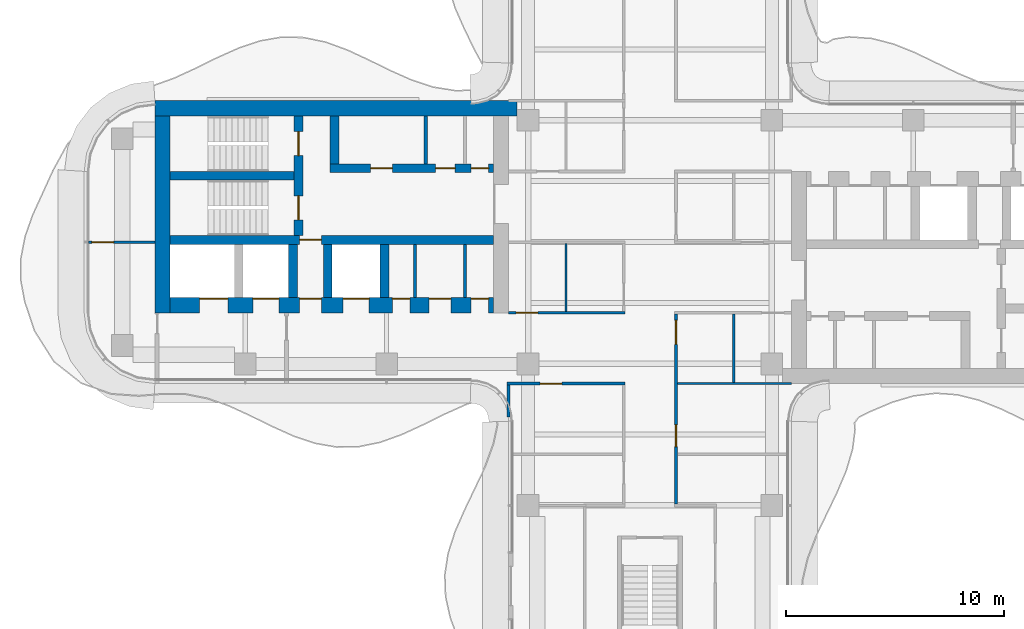
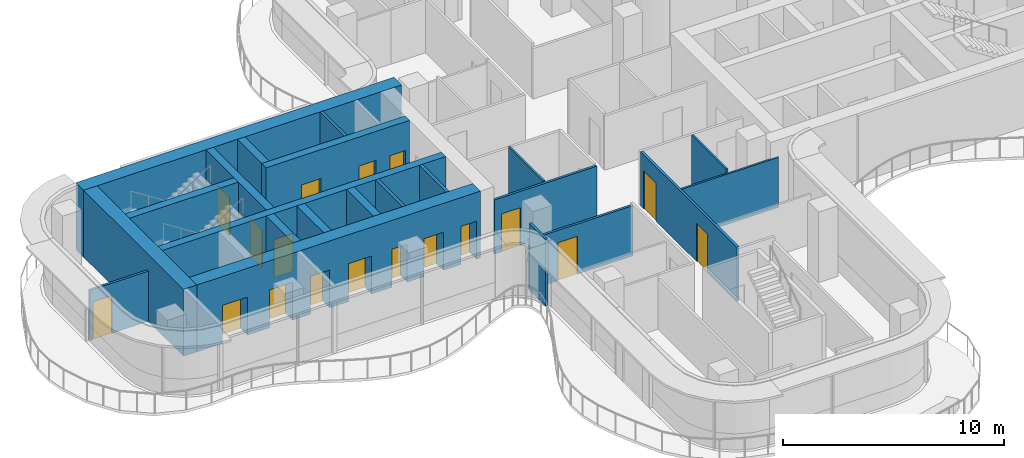
# One storey, part 11 of 16: 22 walls, 18 doors, 18 openings.
"""IFC4 building model written with IfcOpenShell, lengths in metres."""

from ifc_helpers import new_model, si_unit, direction, frame, frame_2d, origin, place, context, subcontext, project, spatial, rectangle, extrude, source, transform, mapped, material, layer, layer_set, type_object, element, fill, save


model = new_model("IFC4")

# Units and contexts
model_context = context("Model", 3, precision=1e-05, world=origin(), true_north=direction((0.0, 1.0)))
body_context = subcontext(model_context, "Body", "Model", "MODEL_VIEW")
ifc_project = project(units=[si_unit("LENGTHUNIT", "METRE"), si_unit("AREAUNIT", "SQUARE_METRE"), si_unit("VOLUMEUNIT", "CUBIC_METRE"), si_unit("PLANEANGLEUNIT", "RADIAN"), si_unit("MASSUNIT", "GRAM", prefix="KILO")], contexts=[model_context])

# Site, building, storey
site_placement = place(None, origin())
site = spatial("IfcSite", under=ifc_project, at=site_placement, CompositionType="ELEMENT")
building_placement = place(site_placement, origin())
building = spatial("IfcBuilding", under=site, at=building_placement, Name="Trellis Farm Tower", CompositionType="ELEMENT")
storey_placement = place(building_placement, frame((0.0, 0.0, 306.699951171875)))
storey = spatial("IfcBuildingStorey", under=building, at=storey_placement, Name="L69", CompositionType="ELEMENT", Elevation=306.699951171875)

# Walls
ifc_material_1 = material(Name="Concrete C50/60", Category="concrete")
ifc_layer_1 = layer(ifc_material_1, 0.699951171875)
ifc_layer_set_1 = layer_set([ifc_layer_1], Name="CORE OUTER WALL 700 CONCRETE C50/60")
wall_type_1 = type_object("IfcWallType", Name="CORE OUTER WALL 700 CONCRETE C50/60", PredefinedType="SHEAR", material=ifc_layer_set_1)
shared_shape_1 = source(origin(), body_context, "Body", "SweptSolid", [
    extrude(rectangle(XDim=9.050048828125, YDim=0.699951171875, at=frame_2d((4.52490234375, 0.0))), origin(), (0.0, 0.0, 1.0), 3.699951171875),
])
wall_1_placement = place(storey_placement, frame((-22.39990234375, 5.800048828125, 0.0), z_axis=(0.0, 0.0, 1.0), x_axis=(0.0, -1.0, 0.0)))
element("IfcWall", 1, at=wall_1_placement, inside=storey, type_object=wall_type_1, Name="Core wall", PredefinedType="SHEAR", context=body_context, shape_type="MappedRepresentation", body=[
    mapped(shared_shape_1, transform((0.0, 0.0, 0.0))),
])
ifc_layer_2 = layer(ifc_material_1, 0.39990234375)
ifc_layer_set_2 = layer_set([ifc_layer_2], Name="CORE INNER WALL 400 CONCRETE C50/60")
wall_type_2 = type_object("IfcWallType", Name="CORE INNER WALL 400 CONCRETE C50/60", PredefinedType="SHEAR", material=ifc_layer_set_2)
shared_shape_2 = source(origin(), body_context, "Body", "SweptSolid", [
    extrude(rectangle(XDim=2.449951171875, YDim=0.39990234375, at=frame_2d((1.22509765625, 0.0))), origin(), (0.0, 0.0, 1.0), 3.699951171875),
])
for number, where, z_axis, x_axis, name in (
    (2, (-12.199951171875, -0.10009765625, 0.0), (0.0, 0.0, 1.0), (0.0, -1.0, 0.0), "Core wall"),
    (3, (-14.800048828125, -0.10009765625, 0.0), (0.0, 0.0, 1.0), (0.0, -1.0, 0.0), "Core wall"),
    (4, (-16.39990234375, -0.10009765625, 0.0), (0.0, 0.0, 1.0), (0.0, -1.0, 0.0), "Core wall"),
):
    element("IfcWall", number, at=place(storey_placement, frame(where, z_axis=z_axis, x_axis=x_axis)), inside=storey, type_object=wall_type_2, Name=name, PredefinedType="SHEAR", context=body_context, shape_type="MappedRepresentation", body=[
        mapped(shared_shape_2, transform((0.0, 0.0, 0.0))),
    ])

# Wall, openings, doors
shared_shape_3 = source(origin(), body_context, "Body", "SweptSolid", [
    extrude(rectangle(XDim=14.85009765625, YDim=0.699951171875, at=frame_2d((7.425048828125, 0.0))), origin(), (0.0, 0.0, 1.0), 3.699951171875),
])
wall_2_placement = place(storey_placement, frame((-7.199951171875, -2.89990234375, 0.0), z_axis=(0.0, 0.0, 1.0), x_axis=(-1.0, 0.0, 0.0)))
wall_2 = element("IfcWall", 5, at=wall_2_placement, inside=storey, type_object=wall_type_1, Name="Core wall", PredefinedType="SHEAR", context=body_context, shape_type="MappedRepresentation", body=[
    mapped(shared_shape_3, transform((0.0, 0.0, 0.0))),
])
shared_shape_4 = source(origin(), body_context, "Body", "SweptSolid", [
    extrude(rectangle(XDim=1.199951171875, YDim=2.10009765625, at=frame_2d((0.60009765625, 1.050048828125))), frame((0.0, 0.360107421875, 0.0), z_axis=(0.0, -1.0, 0.0), x_axis=(1.0, 0.0, 0.0)), (0.0, 0.0, 1.0), 0.72021484375),
])
opening_1_placement = place(wall_2_placement, frame((5.699951171875, 0.0, 0.0)))
opening_1 = element("IfcOpeningElement", 6, at=opening_1_placement, cuts=wall_2, Name="Opening LD14", PredefinedType="OPENING", context=body_context, shape_type="MappedRepresentation", body=[
    mapped(shared_shape_4, transform((0.0, 0.0, 0.0))),
])
shared_shape_5 = source(origin(), body_context, "Body", "SweptSolid", [
    extrude(rectangle(XDim=1.300048828125, YDim=2.10009765625, at=frame_2d((0.64990234375, 1.050048828125))), frame((0.0, 0.360107421875, 0.0), z_axis=(0.0, -1.0, 0.0), x_axis=(1.0, 0.0, 0.0)), (0.0, 0.0, 1.0), 0.72021484375),
])
opening_2_placement = place(wall_2_placement, frame((12.199951171875, 0.0, 0.0)))
opening_2 = element("IfcOpeningElement", 7, at=opening_2_placement, cuts=wall_2, Name="Opening LD15", PredefinedType="OPENING", context=body_context, shape_type="MappedRepresentation", body=[
    mapped(shared_shape_5, transform((0.0, 0.0, 0.0))),
])
opening_3_placement = place(wall_2_placement, frame((9.85009765625, 0.0, 0.0)))
opening_3 = element("IfcOpeningElement", 8, at=opening_3_placement, cuts=wall_2, Name="Opening LD16", PredefinedType="OPENING", context=body_context, shape_type="MappedRepresentation", body=[
    mapped(shared_shape_4, transform((0.0, 0.0, 0.0))),
])
shared_shape_6 = source(origin(), body_context, "Body", "SweptSolid", [
    extrude(rectangle(XDim=1.0, YDim=2.10009765625, at=frame_2d((0.5, 1.050048828125))), frame((0.0, 0.360107421875, 0.0), z_axis=(0.0, -1.0, 0.0), x_axis=(1.0, 0.0, 0.0)), (0.0, 0.0, 1.0), 0.72021484375),
])
opening_4_placement = place(wall_2_placement, frame((7.89990234375, 0.0, 0.0)))
opening_4 = element("IfcOpeningElement", 9, at=opening_4_placement, cuts=wall_2, Name="Opening DC92", PredefinedType="OPENING", context=body_context, shape_type="MappedRepresentation", body=[
    mapped(shared_shape_6, transform((0.0, 0.0, 0.0))),
])
shared_shape_7 = source(origin(), body_context, "Body", "SweptSolid", [
    extrude(rectangle(XDim=0.800048828125, YDim=2.10009765625, at=frame_2d((0.39990234375, 1.050048828125))), frame((0.0, 0.360107421875, 0.0), z_axis=(0.0, -1.0, 0.0), x_axis=(1.0, 0.0, 0.0)), (0.0, 0.0, 1.0), 0.72021484375),
])
opening_5_placement = place(wall_2_placement, frame((0.21240234375, 0.0, 0.0)))
opening_5 = element("IfcOpeningElement", 10, at=opening_5_placement, cuts=wall_2, Name="Opening DC96", PredefinedType="OPENING", context=body_context, shape_type="MappedRepresentation", body=[
    mapped(shared_shape_7, transform((0.0, 0.0, 0.0))),
])
opening_6_placement = place(wall_2_placement, frame((1.949951171875, 0.0, 0.0)))
opening_6 = element("IfcOpeningElement", 11, at=opening_6_placement, cuts=wall_2, Name="Opening DC105", PredefinedType="OPENING", context=body_context, shape_type="MappedRepresentation", body=[
    mapped(shared_shape_6, transform((0.0, 0.0, 0.0))),
])
opening_7_placement = place(wall_2_placement, frame((3.83740234375, 0.0, 0.0)))
opening_7 = element("IfcOpeningElement", 12, at=opening_7_placement, cuts=wall_2, Name="Opening DC108", PredefinedType="OPENING", context=body_context, shape_type="MappedRepresentation", body=[
    mapped(shared_shape_7, transform((0.0, 0.0, 0.0))),
])
ifc_material_2 = material(Name="Steel", Category="steel")
door_type_1 = type_object("IfcDoorType", Name="CORE FIRE DOOR 1000 X 2100", OperationType="NOTDEFINED", PredefinedType="DOOR", material=ifc_material_2)
shared_shape_8 = source(origin(), body_context, "Body", "SweptSolid", [
    extrude(rectangle(XDim=1.0, YDim=2.10009765625, at=frame_2d((0.5, 1.050048828125))), frame((0.0, -0.27490234375, 0.0), z_axis=(0.0, -1.0, 0.0), x_axis=(1.0, 0.0, 0.0)), (0.0, 0.0, 1.0), 0.050048828125),
])
door_1_placement = place(opening_4_placement, origin())
door_1 = element("IfcDoor", 13, at=door_1_placement, inside=storey, type_object=door_type_1, Name="Core door", OperationType="SINGLE_SWING_LEFT", OverallHeight=2.10009765625, OverallWidth=1.0, PredefinedType="DOOR", context=body_context, shape_type="MappedRepresentation", body=[
    mapped(shared_shape_8, transform((0.0, 0.0, 0.0))),
])
fill(opening_4, door_1)
door_2_placement = place(opening_6_placement, origin())
door_2 = element("IfcDoor", 14, at=door_2_placement, inside=storey, type_object=door_type_1, Name="Core door", OperationType="SINGLE_SWING_LEFT", OverallHeight=2.10009765625, OverallWidth=1.0, PredefinedType="DOOR", context=body_context, shape_type="MappedRepresentation", body=[
    mapped(shared_shape_8, transform((0.0, 0.0, 0.0))),
])
fill(opening_6, door_2)
ifc_material_3 = material(Name="Stainless steel", Category="steel")
door_type_2 = type_object("IfcDoorType", Name="LIFT LANDING DOOR 1300 X 2100", OperationType="DOUBLE_DOOR_SLIDING", PredefinedType="DOOR", material=ifc_material_3)
shared_shape_9 = source(origin(), body_context, "Body", "SweptSolid", [
    extrude(rectangle(XDim=1.300048828125, YDim=2.10009765625, at=frame_2d((0.64990234375, 1.050048828125))), frame((0.0, -0.27490234375, 0.0), z_axis=(0.0, -1.0, 0.0), x_axis=(1.0, 0.0, 0.0)), (0.0, 0.0, 1.0), 0.050048828125),
])
door_3_placement = place(opening_2_placement, origin())
door_3 = element("IfcDoor", 15, at=door_3_placement, inside=storey, type_object=door_type_2, Name="Lift landing door", OperationType="DOUBLE_DOOR_SLIDING", OverallHeight=2.10009765625, OverallWidth=1.300048828125, PredefinedType="DOOR", context=body_context, shape_type="MappedRepresentation", body=[
    mapped(shared_shape_9, transform((0.0, 0.0, 0.0))),
])
fill(opening_2, door_3)
door_type_3 = type_object("IfcDoorType", Name="LIFT LANDING DOOR 1200 X 2100", OperationType="DOUBLE_DOOR_SLIDING", PredefinedType="DOOR", material=ifc_material_3)
shared_shape_10 = source(origin(), body_context, "Body", "SweptSolid", [
    extrude(rectangle(XDim=1.199951171875, YDim=2.10009765625, at=frame_2d((0.60009765625, 1.050048828125))), frame((0.0, -0.27490234375, 0.0), z_axis=(0.0, -1.0, 0.0), x_axis=(1.0, 0.0, 0.0)), (0.0, 0.0, 1.0), 0.050048828125),
])
door_4_placement = place(opening_1_placement, origin())
door_4 = element("IfcDoor", 16, at=door_4_placement, inside=storey, type_object=door_type_3, Name="Lift landing door", OperationType="DOUBLE_DOOR_SLIDING", OverallHeight=2.10009765625, OverallWidth=1.199951171875, PredefinedType="DOOR", context=body_context, shape_type="MappedRepresentation", body=[
    mapped(shared_shape_10, transform((0.0, 0.0, 0.0))),
])
fill(opening_1, door_4)
door_5_placement = place(opening_3_placement, origin())
door_5 = element("IfcDoor", 17, at=door_5_placement, inside=storey, type_object=door_type_3, Name="Lift landing door", OperationType="DOUBLE_DOOR_SLIDING", OverallHeight=2.10009765625, OverallWidth=1.199951171875, PredefinedType="DOOR", context=body_context, shape_type="MappedRepresentation", body=[
    mapped(shared_shape_10, transform((0.0, 0.0, 0.0))),
])
fill(opening_3, door_5)
door_type_4 = type_object("IfcDoorType", Name="CORE FIRE DOOR 800 X 2100", OperationType="NOTDEFINED", PredefinedType="DOOR", material=ifc_material_2)
shared_shape_11 = source(origin(), body_context, "Body", "SweptSolid", [
    extrude(rectangle(XDim=0.800048828125, YDim=2.10009765625, at=frame_2d((0.39990234375, 1.050048828125))), frame((0.0, -0.27490234375, 0.0), z_axis=(0.0, -1.0, 0.0), x_axis=(1.0, 0.0, 0.0)), (0.0, 0.0, 1.0), 0.050048828125),
])
door_6_placement = place(opening_5_placement, origin())
door_6 = element("IfcDoor", 18, at=door_6_placement, inside=storey, type_object=door_type_4, Name="Core door", OperationType="SINGLE_SWING_RIGHT", OverallHeight=2.10009765625, OverallWidth=0.800048828125, PredefinedType="DOOR", context=body_context, shape_type="MappedRepresentation", body=[
    mapped(shared_shape_11, transform((0.0, 0.0, 0.0))),
])
fill(opening_5, door_6)
door_7_placement = place(opening_7_placement, origin())
door_7 = element("IfcDoor", 19, at=door_7_placement, inside=storey, type_object=door_type_4, Name="Core door", OperationType="SINGLE_SWING_RIGHT", OverallHeight=2.10009765625, OverallWidth=0.800048828125, PredefinedType="DOOR", context=body_context, shape_type="MappedRepresentation", body=[
    mapped(shared_shape_11, transform((0.0, 0.0, 0.0))),
])
fill(opening_7, door_7)

shared_shape_12 = source(origin(), body_context, "Body", "SweptSolid", [
    extrude(rectangle(XDim=7.5, YDim=0.39990234375, at=frame_2d((3.75, 0.0))), origin(), (0.0, 0.0, 1.0), 3.699951171875),
])
wall_3_placement = place(storey_placement, frame((-7.199951171875, 3.39990234375, 0.0), z_axis=(0.0, 0.0, 1.0), x_axis=(-1.0, 0.0, 0.0)))
wall_3 = element("IfcWall", 20, at=wall_3_placement, inside=storey, type_object=wall_type_2, Name="Core wall", PredefinedType="SHEAR", context=body_context, shape_type="MappedRepresentation", body=[
    mapped(shared_shape_12, transform((0.0, 0.0, 0.0))),
])
shared_shape_13 = source(origin(), body_context, "Body", "SweptSolid", [
    extrude(rectangle(XDim=0.800048828125, YDim=2.10009765625, at=frame_2d((0.39990234375, 1.050048828125))), frame((0.0, 0.2099609375, 0.0), z_axis=(0.0, -1.0, 0.0), x_axis=(1.0, 0.0, 0.0)), (0.0, 0.0, 1.0), 0.419921875),
])
opening_8_placement = place(wall_3_placement, frame((0.21240234375, 0.0, 0.0)))
opening_8 = element("IfcOpeningElement", 21, at=opening_8_placement, cuts=wall_3, Name="Opening DC137", PredefinedType="OPENING", context=body_context, shape_type="MappedRepresentation", body=[
    mapped(shared_shape_13, transform((0.0, 0.0, 0.0))),
])
shared_shape_14 = source(origin(), body_context, "Body", "SweptSolid", [
    extrude(rectangle(XDim=0.89990234375, YDim=2.10009765625, at=frame_2d((0.449951171875, 1.050048828125))), frame((0.0, 0.2099609375, 0.0), z_axis=(0.0, -1.0, 0.0), x_axis=(1.0, 0.0, 0.0)), (0.0, 0.0, 1.0), 0.419921875),
])
opening_9_placement = place(wall_3_placement, frame((1.75, 0.0, 0.0)))
opening_9 = element("IfcOpeningElement", 22, at=opening_9_placement, cuts=wall_3, Name="Opening DC146", PredefinedType="OPENING", context=body_context, shape_type="MappedRepresentation", body=[
    mapped(shared_shape_14, transform((0.0, 0.0, 0.0))),
])
shared_shape_15 = source(origin(), body_context, "Body", "SweptSolid", [
    extrude(rectangle(XDim=1.0, YDim=2.10009765625, at=frame_2d((0.5, 1.050048828125))), frame((0.0, 0.2099609375, 0.0), z_axis=(0.0, -1.0, 0.0), x_axis=(1.0, 0.0, 0.0)), (0.0, 0.0, 1.0), 0.419921875),
])
opening_10_placement = place(wall_3_placement, frame((4.637451171875, 0.0, 0.0)))
opening_10 = element("IfcOpeningElement", 23, at=opening_10_placement, cuts=wall_3, Name="Opening DC153", PredefinedType="OPENING", context=body_context, shape_type="MappedRepresentation", body=[
    mapped(shared_shape_15, transform((0.0, 0.0, 0.0))),
])
shared_shape_16 = source(origin(), body_context, "Body", "SweptSolid", [
    extrude(rectangle(XDim=1.0, YDim=2.10009765625, at=frame_2d((0.5, 1.050048828125))), frame((0.0, 0.02490234375, 0.0), z_axis=(0.0, -1.0, 0.0), x_axis=(1.0, 0.0, 0.0)), (0.0, 0.0, 1.0), 0.050048828125),
])
door_8_placement = place(opening_10_placement, origin())
door_8 = element("IfcDoor", 24, at=door_8_placement, inside=storey, type_object=door_type_1, Name="Core door", OperationType="SINGLE_SWING_LEFT", OverallHeight=2.10009765625, OverallWidth=1.0, PredefinedType="DOOR", context=body_context, shape_type="MappedRepresentation", body=[
    mapped(shared_shape_16, transform((0.0, 0.0, 0.0))),
])
fill(opening_10, door_8)
door_type_5 = type_object("IfcDoorType", Name="CORE FIRE DOOR 900 X 2100", OperationType="NOTDEFINED", PredefinedType="DOOR", material=ifc_material_2)
shared_shape_17 = source(origin(), body_context, "Body", "SweptSolid", [
    extrude(rectangle(XDim=0.89990234375, YDim=2.10009765625, at=frame_2d((0.449951171875, 1.050048828125))), frame((0.0, 0.02490234375, 0.0), z_axis=(0.0, -1.0, 0.0), x_axis=(1.0, 0.0, 0.0)), (0.0, 0.0, 1.0), 0.050048828125),
])
door_9_placement = place(opening_9_placement, origin())
door_9 = element("IfcDoor", 25, at=door_9_placement, inside=storey, type_object=door_type_5, Name="Core door", OperationType="SINGLE_SWING_RIGHT", OverallHeight=2.10009765625, OverallWidth=0.89990234375, PredefinedType="DOOR", context=body_context, shape_type="MappedRepresentation", body=[
    mapped(shared_shape_17, transform((0.0, 0.0, 0.0))),
])
fill(opening_9, door_9)
shared_shape_18 = source(origin(), body_context, "Body", "SweptSolid", [
    extrude(rectangle(XDim=0.800048828125, YDim=2.10009765625, at=frame_2d((0.39990234375, 1.050048828125))), frame((0.0, 0.02490234375, 0.0), z_axis=(0.0, -1.0, 0.0), x_axis=(1.0, 0.0, 0.0)), (0.0, 0.0, 1.0), 0.050048828125),
])
door_10_placement = place(opening_8_placement, origin())
door_10 = element("IfcDoor", 26, at=door_10_placement, inside=storey, type_object=door_type_4, Name="Core door", OperationType="SINGLE_SWING_LEFT", OverallHeight=2.10009765625, OverallWidth=0.800048828125, PredefinedType="DOOR", context=body_context, shape_type="MappedRepresentation", body=[
    mapped(shared_shape_18, transform((0.0, 0.0, 0.0))),
])
fill(opening_8, door_10)

# Wall, opening, door
shared_shape_19 = source(origin(), body_context, "Body", "SweptSolid", [
    extrude(rectangle(XDim=14.85009765625, YDim=0.39990234375, at=frame_2d((7.425048828125, 0.0))), origin(), (0.0, 0.0, 1.0), 3.699951171875),
])
wall_4_placement = place(storey_placement, frame((-7.199951171875, 0.10009765625, 0.0), z_axis=(0.0, 0.0, 1.0), x_axis=(-1.0, 0.0, 0.0)))
wall_4 = element("IfcWall", 27, at=wall_4_placement, inside=storey, type_object=wall_type_2, Name="Core wall", PredefinedType="SHEAR", context=body_context, shape_type="MappedRepresentation", body=[
    mapped(shared_shape_19, transform((0.0, 0.0, 0.0))),
])
opening_11_placement = place(wall_4_placement, frame((7.89990234375, 0.0, 0.0)))
opening_11 = element("IfcOpeningElement", 28, at=opening_11_placement, cuts=wall_4, Name="Opening DC91", PredefinedType="OPENING", context=body_context, shape_type="MappedRepresentation", body=[
    mapped(shared_shape_15, transform((0.0, 0.0, 0.0))),
])
door_11_placement = place(opening_11_placement, origin())
door_11 = element("IfcDoor", 29, at=door_11_placement, inside=storey, type_object=door_type_1, Name="Core door", OperationType="SINGLE_SWING_RIGHT", OverallHeight=2.10009765625, OverallWidth=1.0, PredefinedType="DOOR", context=body_context, shape_type="MappedRepresentation", body=[
    mapped(shared_shape_16, transform((0.0, 0.0, 0.0))),
])
fill(opening_11, door_11)

# Wall, openings, doors
shared_shape_20 = source(origin(), body_context, "Body", "SweptSolid", [
    extrude(rectangle(XDim=5.5, YDim=0.39990234375, at=frame_2d((2.75, 0.0))), origin(), (0.0, 0.0, 1.0), 3.699951171875),
])
wall_5_placement = place(storey_placement, frame((-16.14990234375, 5.800048828125, 0.0), z_axis=(0.0, 0.0, 1.0), x_axis=(0.0, -1.0, 0.0)))
wall_5 = element("IfcWall", 30, at=wall_5_placement, inside=storey, type_object=wall_type_2, Name="Core wall", PredefinedType="SHEAR", context=body_context, shape_type="MappedRepresentation", body=[
    mapped(shared_shape_20, transform((0.0, 0.0, 0.0))),
])
shared_shape_21 = source(origin(), body_context, "Body", "SweptSolid", [
    extrude(rectangle(XDim=1.10009765625, YDim=2.10009765625, at=frame_2d((0.550048828125, 1.050048828125))), frame((0.0, 0.2099609375, 0.0), z_axis=(0.0, -1.0, 0.0), x_axis=(1.0, 0.0, 0.0)), (0.0, 0.0, 1.0), 0.419921875),
])
opening_12_placement = place(wall_5_placement, frame((0.72509765625, 0.0, 0.0)))
opening_12 = element("IfcOpeningElement", 31, at=opening_12_placement, cuts=wall_5, Name="Opening DC88", PredefinedType="OPENING", context=body_context, shape_type="MappedRepresentation", body=[
    mapped(shared_shape_21, transform((0.0, 0.0, 0.0))),
])
opening_13_placement = place(wall_5_placement, frame((3.675048828125, 0.0, 0.0)))
opening_13 = element("IfcOpeningElement", 32, at=opening_13_placement, cuts=wall_5, Name="Opening DC89", PredefinedType="OPENING", context=body_context, shape_type="MappedRepresentation", body=[
    mapped(shared_shape_21, transform((0.0, 0.0, 0.0))),
])
door_type_6 = type_object("IfcDoorType", Name="CORE FIRE DOOR 1100 X 2100", OperationType="NOTDEFINED", PredefinedType="DOOR", material=ifc_material_2)
shared_shape_22 = source(origin(), body_context, "Body", "SweptSolid", [
    extrude(rectangle(XDim=1.10009765625, YDim=2.10009765625, at=frame_2d((0.550048828125, 1.050048828125))), frame((0.0, 0.02490234375, 0.0), z_axis=(0.0, -1.0, 0.0), x_axis=(1.0, 0.0, 0.0)), (0.0, 0.0, 1.0), 0.050048828125),
])
door_12_placement = place(opening_12_placement, origin())
door_12 = element("IfcDoor", 33, at=door_12_placement, inside=storey, type_object=door_type_6, Name="Core door", OperationType="SINGLE_SWING_RIGHT", OverallHeight=2.10009765625, OverallWidth=1.10009765625, PredefinedType="DOOR", context=body_context, shape_type="MappedRepresentation", body=[
    mapped(shared_shape_22, transform((0.0, 0.0, 0.0))),
])
fill(opening_12, door_12)
door_13_placement = place(opening_13_placement, origin())
door_13 = element("IfcDoor", 34, at=door_13_placement, inside=storey, type_object=door_type_6, Name="Core door", OperationType="SINGLE_SWING_LEFT", OverallHeight=2.10009765625, OverallWidth=1.10009765625, PredefinedType="DOOR", context=body_context, shape_type="MappedRepresentation", body=[
    mapped(shared_shape_22, transform((0.0, 0.0, 0.0))),
])
fill(opening_13, door_13)

# Walls
shared_shape_23 = source(origin(), body_context, "Body", "SweptSolid", [
    extrude(rectangle(XDim=5.699951171875, YDim=0.39990234375, at=frame_2d((2.85009765625, 0.0))), origin(), (0.0, 0.0, 1.0), 3.699951171875),
])
wall_6_placement = place(storey_placement, frame((-16.35009765625, 3.050048828125, 0.0), z_axis=(0.0, 0.0, 1.0), x_axis=(-1.0, 0.0, 0.0)))
element("IfcWall", 35, at=wall_6_placement, inside=storey, type_object=wall_type_2, Name="Core wall", PredefinedType="SHEAR", context=body_context, shape_type="MappedRepresentation", body=[
    mapped(shared_shape_23, transform((0.0, 0.0, 0.0))),
])
shared_shape_24 = source(origin(), body_context, "Body", "SweptSolid", [
    extrude(rectangle(XDim=2.199951171875, YDim=0.39990234375, at=frame_2d((1.10009765625, 0.0))), origin(), (0.0, 0.0, 1.0), 3.699951171875),
])
wall_7_placement = place(storey_placement, frame((-14.5, 5.800048828125, 0.0), z_axis=(0.0, 0.0, 1.0), x_axis=(0.0, -1.0, 0.0)))
element("IfcWall", 36, at=wall_7_placement, inside=storey, type_object=wall_type_2, Name="Core wall", PredefinedType="SHEAR", context=body_context, shape_type="MappedRepresentation", body=[
    mapped(shared_shape_24, transform((0.0, 0.0, 0.0))),
])
ifc_material_4 = material(Name="Masonry blockwork", Category="masonry")
ifc_layer_3 = layer(ifc_material_4, 0.14990234375)
ifc_layer_set_3 = layer_set([ifc_layer_3], Name="CORE PARTITION 150 BLOCKWORK")
wall_type_3 = type_object("IfcWallType", Name="CORE PARTITION 150 BLOCKWORK", PredefinedType="PARTITIONING", material=ifc_layer_set_3)
shared_shape_25 = source(origin(), body_context, "Body", "SweptSolid", [
    extrude(rectangle(XDim=2.199951171875, YDim=0.14990234375, at=frame_2d((1.10009765625, 0.0))), origin(), (0.0, 0.0, 1.0), 3.699951171875),
])
wall_8_placement = place(storey_placement, frame((-10.300048828125, 5.800048828125, 0.0), z_axis=(0.0, 0.0, 1.0), x_axis=(0.0, -1.0, 0.0)))
element("IfcWall", 37, at=wall_8_placement, inside=storey, type_object=wall_type_3, Name="Core room partition", PredefinedType="PARTITIONING", context=body_context, shape_type="MappedRepresentation", body=[
    mapped(shared_shape_25, transform((0.0, 0.0, 0.0))),
])
shared_shape_26 = source(origin(), body_context, "Body", "SweptSolid", [
    extrude(rectangle(XDim=16.64990234375, YDim=0.699951171875, at=frame_2d((8.324951171875, 0.0))), origin(), (0.0, 0.0, 1.0), 3.699951171875),
])
wall_9_placement = place(storey_placement, frame((-6.10009765625, 6.14990234375, 0.0), z_axis=(0.0, 0.0, 1.0), x_axis=(-1.0, 0.0, 0.0)))
element("IfcWall", 38, at=wall_9_placement, inside=storey, type_object=wall_type_1, Name="Core wall", PredefinedType="SHEAR", context=body_context, shape_type="MappedRepresentation", body=[
    mapped(shared_shape_26, transform((0.0, 0.0, 0.0))),
])
shared_shape_27 = source(origin(), body_context, "Body", "SweptSolid", [
    extrude(rectangle(XDim=2.449951171875, YDim=0.14990234375, at=frame_2d((1.22509765625, 0.0))), origin(), (0.0, 0.0, 1.0), 3.699951171875),
])
for number, where, z_axis, x_axis, name in (
    (39, (-8.5, -0.10009765625, 0.0), (0.0, 0.0, 1.0), (0.0, -1.0, 0.0), "Core room partition"),
    (40, (-10.800048828125, -0.10009765625, 0.0), (0.0, 0.0, 1.0), (0.0, -1.0, 0.0), "Core room partition"),
):
    element("IfcWall", number, at=place(storey_placement, frame(where, z_axis=z_axis, x_axis=x_axis)), inside=storey, type_object=wall_type_3, Name=name, PredefinedType="PARTITIONING", context=body_context, shape_type="MappedRepresentation", body=[
        mapped(shared_shape_27, transform((0.0, 0.0, 0.0))),
    ])
ifc_material_5 = material(Name="Plasterboard on steel studs, mineral wool", Category="steel")
ifc_layer_4 = layer(ifc_material_5, 0.125)
ifc_layer_set_4 = layer_set([ifc_layer_4], Name="PARTITION 125 STUD EI 60")
wall_type_4 = type_object("IfcWallType", Name="PARTITION 125 STUD EI 60", PredefinedType="PARTITIONING", material=ifc_layer_set_4)
shared_shape_28 = source(origin(), body_context, "Body", "SweptSolid", [
    extrude(rectangle(XDim=1.468994140625, YDim=0.125, at=frame_2d((0.734375, 0.0))), origin(), (0.0, 0.0, 1.0), 3.699951171875),
])
wall_10_placement = place(storey_placement, frame((-6.5, -6.5625, 0.0), z_axis=(0.0, 0.0, 1.0), x_axis=(0.0, -1.0, 0.0)))
element("IfcWall", 41, at=wall_10_placement, inside=storey, type_object=wall_type_4, Name="Partition PW1", PredefinedType="PARTITIONING", context=body_context, shape_type="MappedRepresentation", body=[
    mapped(shared_shape_28, transform((0.0, 0.0, 0.0))),
])

# Wall, opening, door
shared_shape_29 = source(origin(), body_context, "Body", "SweptSolid", [
    extrude(rectangle(XDim=5.362548828125, YDim=0.125, at=frame_2d((2.68115234375, 0.0))), origin(), (0.0, 0.0, 1.0), 2.99658203125),
])
wall_11_placement = place(storey_placement, frame((-1.137451171875, -3.25, 0.0), z_axis=(0.0, 0.0, 1.0), x_axis=(-1.0, 0.0, 0.0)))
wall_11 = element("IfcWall", 42, at=wall_11_placement, inside=storey, type_object=wall_type_4, Name="Partition PW1", PredefinedType="PARTITIONING", context=body_context, shape_type="MappedRepresentation", body=[
    mapped(shared_shape_29, transform((0.0, 0.0, 0.0))),
])
shared_shape_30 = source(origin(), body_context, "Body", "SweptSolid", [
    extrude(rectangle(XDim=1.0, YDim=2.10009765625, at=frame_2d((0.5, 1.050048828125))), frame((0.0, 0.072509765625, 0.0), z_axis=(0.0, -1.0, 0.0), x_axis=(1.0, 0.0, 0.0)), (0.0, 0.0, 1.0), 0.14501953125),
])
opening_14_placement = place(wall_11_placement, frame((4.012451171875, 0.0, 0.0)))
opening_14 = element("IfcOpeningElement", 43, at=opening_14_placement, cuts=wall_11, Name="Opening D105", PredefinedType="OPENING", context=body_context, shape_type="MappedRepresentation", body=[
    mapped(shared_shape_30, transform((0.0, 0.0, 0.0))),
])
ifc_material_6 = material(Name="Fire-rated timber door leaf in a hollow metal frame", Category="wood")
door_type_7 = type_object("IfcDoorType", Name="DOOR 1000x2100 FD30S", OperationType="NOTDEFINED", PredefinedType="DOOR", material=ifc_material_6)
door_14_placement = place(opening_14_placement, origin())
door_14 = element("IfcDoor", 44, at=door_14_placement, inside=storey, type_object=door_type_7, Name="Door D105", OperationType="SINGLE_SWING_RIGHT", OverallHeight=2.10009765625, OverallWidth=1.0, PredefinedType="DOOR", context=body_context, shape_type="MappedRepresentation", body=[
    mapped(shared_shape_16, transform((0.0, 0.0, 0.0))),
])
fill(opening_14, door_14)

# Wall, openings, doors
shared_shape_31 = source(origin(), body_context, "Body", "SweptSolid", [
    extrude(rectangle(XDim=8.72509765625, YDim=0.125, at=frame_2d((4.362548828125, 0.0))), origin(), (0.0, 0.0, 1.0), 2.99658203125),
])
wall_12_placement = place(storey_placement, frame((1.199951171875, -3.3125, 0.0), z_axis=(0.0, 0.0, 1.0), x_axis=(0.0, -1.0, 0.0)))
wall_12 = element("IfcWall", 45, at=wall_12_placement, inside=storey, type_object=wall_type_4, Name="Partition PW1", PredefinedType="PARTITIONING", context=body_context, shape_type="MappedRepresentation", body=[
    mapped(shared_shape_31, transform((0.0, 0.0, 0.0))),
])
opening_15_placement = place(wall_12_placement, frame((5.08740234375, 0.0, 0.0)))
opening_15 = element("IfcOpeningElement", 46, at=opening_15_placement, cuts=wall_12, Name="Opening D103", PredefinedType="OPENING", context=body_context, shape_type="MappedRepresentation", body=[
    mapped(shared_shape_30, transform((0.0, 0.0, 0.0))),
])
shared_shape_32 = source(origin(), body_context, "Body", "SweptSolid", [
    extrude(rectangle(XDim=1.10009765625, YDim=2.10009765625, at=frame_2d((0.550048828125, 1.050048828125))), frame((0.0, 0.072509765625, 0.0), z_axis=(0.0, -1.0, 0.0), x_axis=(1.0, 0.0, 0.0)), (0.0, 0.0, 1.0), 0.14501953125),
])
opening_16_placement = place(wall_12_placement, frame((0.28759765625, 0.0, 0.0)))
opening_16 = element("IfcOpeningElement", 47, at=opening_16_placement, cuts=wall_12, Name="Opening D501", PredefinedType="OPENING", context=body_context, shape_type="MappedRepresentation", body=[
    mapped(shared_shape_32, transform((0.0, 0.0, 0.0))),
])
door_type_8 = type_object("IfcDoorType", Name="DOOR 1100x2100 FD30S", OperationType="NOTDEFINED", PredefinedType="DOOR", material=ifc_material_6)
door_15_placement = place(opening_16_placement, origin())
door_15 = element("IfcDoor", 48, at=door_15_placement, inside=storey, type_object=door_type_8, Name="Door D501", OperationType="SINGLE_SWING_LEFT", OverallHeight=2.10009765625, OverallWidth=1.10009765625, PredefinedType="DOOR", context=body_context, shape_type="MappedRepresentation", body=[
    mapped(shared_shape_22, transform((0.0, 0.0, 0.0))),
])
fill(opening_16, door_15)
door_16_placement = place(opening_15_placement, origin())
door_16 = element("IfcDoor", 49, at=door_16_placement, inside=storey, type_object=door_type_7, Name="Door D103", OperationType="SINGLE_SWING_RIGHT", OverallHeight=2.10009765625, OverallWidth=1.0, PredefinedType="DOOR", context=body_context, shape_type="MappedRepresentation", body=[
    mapped(shared_shape_16, transform((0.0, 0.0, 0.0))),
])
fill(opening_15, door_16)

# Wall, opening, door
shared_shape_33 = source(origin(), body_context, "Body", "SweptSolid", [
    extrude(rectangle(XDim=5.425048828125, YDim=0.125, at=frame_2d((2.71240234375, 0.0))), origin(), (0.0, 0.0, 1.0), 2.780029296875),
])
wall_13_placement = place(storey_placement, frame((-1.137451171875, -6.5, 0.0), z_axis=(0.0, 0.0, 1.0), x_axis=(-1.0, 0.0, 0.0)))
wall_13 = element("IfcWall", 50, at=wall_13_placement, inside=storey, type_object=wall_type_4, Name="Partition PW1", PredefinedType="PARTITIONING", context=body_context, shape_type="MappedRepresentation", body=[
    mapped(shared_shape_33, transform((0.0, 0.0, 0.0))),
])
opening_17_placement = place(wall_13_placement, frame((2.91259765625, 0.0, 0.0)))
opening_17 = element("IfcOpeningElement", 51, at=opening_17_placement, cuts=wall_13, Name="Opening D104", PredefinedType="OPENING", context=body_context, shape_type="MappedRepresentation", body=[
    mapped(shared_shape_30, transform((0.0, 0.0, 0.0))),
])
door_17_placement = place(opening_17_placement, origin())
door_17 = element("IfcDoor", 52, at=door_17_placement, inside=storey, type_object=door_type_7, Name="Door D104", OperationType="SINGLE_SWING_RIGHT", OverallHeight=2.10009765625, OverallWidth=1.0, PredefinedType="DOOR", context=body_context, shape_type="MappedRepresentation", body=[
    mapped(shared_shape_16, transform((0.0, 0.0, 0.0))),
])
fill(opening_17, door_17)

# Walls
ifc_material_7 = material(Name="Plasterboard on steel studs", Category="steel")
ifc_layer_5 = layer(ifc_material_7, 0.10009765625)
ifc_layer_set_5 = layer_set([ifc_layer_5], Name="PARTITION 100 STUD EI 30")
wall_type_5 = type_object("IfcWallType", Name="PARTITION 100 STUD EI 30", PredefinedType="PARTITIONING", material=ifc_layer_set_5)
shared_shape_34 = source(origin(), body_context, "Body", "SweptSolid", [
    extrude(rectangle(XDim=5.237548828125, YDim=0.10009765625, at=frame_2d((2.61865234375, 0.0))), origin(), (0.0, 0.0, 1.0), 2.780029296875),
])
wall_14_placement = place(storey_placement, frame((1.262451171875, -6.5, 0.0), z_axis=(0.0, 0.0, 1.0), x_axis=(1.0, 0.0, 0.0)))
element("IfcWall", 53, at=wall_14_placement, inside=storey, type_object=wall_type_5, Name="Partition PW2", PredefinedType="PARTITIONING", context=body_context, shape_type="MappedRepresentation", body=[
    mapped(shared_shape_34, transform((0.0, 0.0, 0.0))),
])
shared_shape_35 = source(origin(), body_context, "Body", "SweptSolid", [
    extrude(rectangle(XDim=3.137451171875, YDim=0.10009765625, at=frame_2d((1.56884765625, 0.0))), origin(), (0.0, 0.0, 1.0), 2.99658203125),
])
wall_15_placement = place(storey_placement, frame((3.85009765625, -6.449951171875, 0.0), z_axis=(0.0, 0.0, 1.0), x_axis=(0.0, 1.0, 0.0)))
element("IfcWall", 54, at=wall_15_placement, inside=storey, type_object=wall_type_5, Name="Partition PW2", PredefinedType="PARTITIONING", context=body_context, shape_type="MappedRepresentation", body=[
    mapped(shared_shape_35, transform((0.0, 0.0, 0.0))),
])

# Wall, opening, door
shared_shape_36 = source(origin(), body_context, "Body", "SweptSolid", [
    extrude(rectangle(XDim=3.050048828125, YDim=0.125, at=frame_2d((1.52490234375, 0.0))), origin(), (0.0, 0.0, 1.0), 2.780029296875),
])
wall_16_placement = place(storey_placement, frame((-25.800048828125, 0.0, 0.0), z_axis=(0.0, 0.0, 1.0), x_axis=(1.0, 0.0, 0.0)))
wall_16 = element("IfcWall", 55, at=wall_16_placement, inside=storey, type_object=wall_type_4, Name="Partition PW1", PredefinedType="PARTITIONING", context=body_context, shape_type="MappedRepresentation", body=[
    mapped(shared_shape_36, transform((0.0, 0.0, 0.0))),
])
opening_18_placement = place(wall_16_placement, frame((0.14990234375, 0.0, 0.0)))
opening_18 = element("IfcOpeningElement", 56, at=opening_18_placement, cuts=wall_16, Name="Opening D108", PredefinedType="OPENING", context=body_context, shape_type="MappedRepresentation", body=[
    mapped(shared_shape_30, transform((0.0, 0.0, 0.0))),
])
door_18_placement = place(opening_18_placement, origin())
door_18 = element("IfcDoor", 57, at=door_18_placement, inside=storey, type_object=door_type_7, Name="Door D108", OperationType="SINGLE_SWING_LEFT", OverallHeight=2.10009765625, OverallWidth=1.0, PredefinedType="DOOR", context=body_context, shape_type="MappedRepresentation", body=[
    mapped(shared_shape_16, transform((0.0, 0.0, 0.0))),
])
fill(opening_18, door_18)

# Wall
shared_shape_37 = source(origin(), body_context, "Body", "SweptSolid", [
    extrude(rectangle(XDim=3.125, YDim=0.10009765625, at=frame_2d((1.5625, 0.0))), origin(), (0.0, 0.0, 1.0), 3.06787109375),
])
wall_17_placement = place(storey_placement, frame((-3.85009765625, -3.1875, 0.0), z_axis=(0.0, 0.0, 1.0), x_axis=(0.0, 1.0, 0.0)))
element("IfcWall", 58, at=wall_17_placement, inside=storey, type_object=wall_type_5, Name="Partition PW2", PredefinedType="PARTITIONING", context=body_context, shape_type="MappedRepresentation", body=[
    mapped(shared_shape_37, transform((0.0, 0.0, 0.0))),
])

save(model, "model.ifc")
